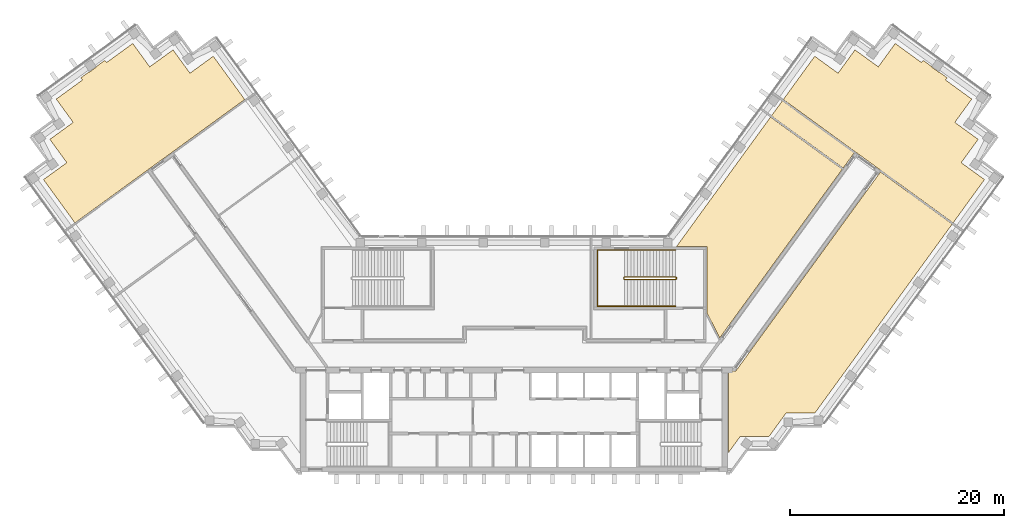
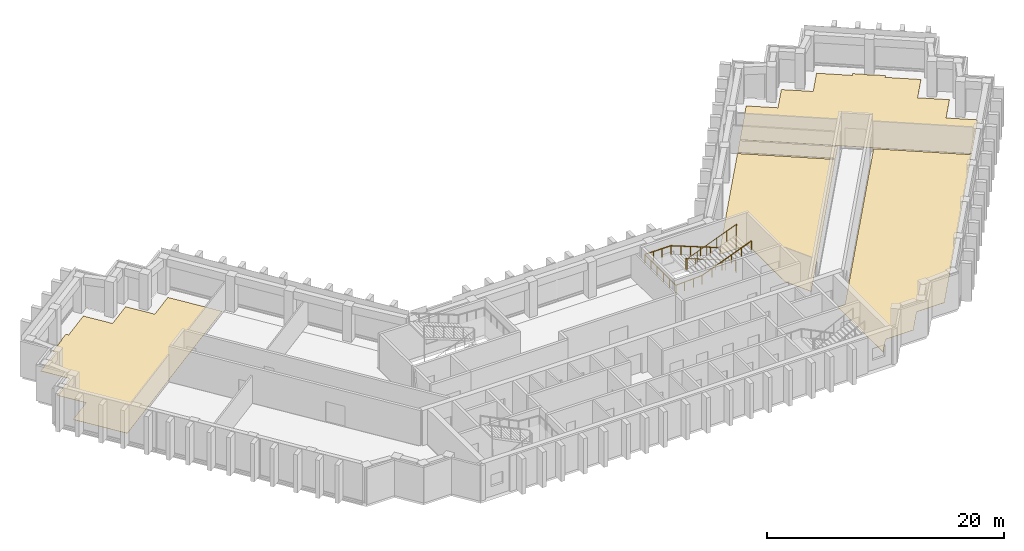
# One storey, part 10 of 10: 5 coverings, 2 railings.
"""IFC4 building model written with IfcOpenShell, lengths in metres."""

from ifc_helpers import new_model, si_unit, direction, frame, origin, origin_2d, place, context, subcontext, project, spatial, polyline, circle, outline, extrude, material, layer, layer_set, type_object, element, save


model = new_model("IFC4")

# Units and contexts
model_context = context("Model", 3, precision=1e-05, world=origin(), true_north=direction((0.0, 1.0)))
body_context = subcontext(model_context, "Body", "Model", "MODEL_VIEW")
ifc_project = project(units=[si_unit("LENGTHUNIT", "METRE"), si_unit("AREAUNIT", "SQUARE_METRE"), si_unit("VOLUMEUNIT", "CUBIC_METRE"), si_unit("PLANEANGLEUNIT", "RADIAN"), si_unit("MASSUNIT", "GRAM", prefix="KILO")], contexts=[model_context])

# Site, building, storey
site_placement = place(None, origin())
site = spatial("IfcSite", under=ifc_project, at=site_placement, CompositionType="ELEMENT")
building_placement = place(site_placement, origin())
building = spatial("IfcBuilding", under=site, at=building_placement, Name="Quipu Civic Tower", CompositionType="ELEMENT")
storey_placement = place(building_placement, frame((0.0, 0.0, 180.0)))
storey = spatial("IfcBuildingStorey", under=building, at=storey_placement, Name="L42", CompositionType="ELEMENT", Elevation=180.0)

# Coverings
ifc_material_1 = material(Name="Carpet tile on raised access floor")
ifc_layer_1 = layer(ifc_material_1, 0.02001953125)
ifc_layer_set_1 = layer_set([ifc_layer_1], Name="Carpet tile on raised access floor")
covering_type_1 = type_object("IfcCoveringType", Name="Carpet tile floor finish 20", PredefinedType="FLOORING", material=ifc_layer_set_1)
covering_1_placement = place(storey_placement, origin())
element("IfcCovering", 1, at=covering_1_placement, inside=storey, type_object=covering_type_1, Name="Carpet tile floor finish 20", PredefinedType="FLOORING", context=body_context, shape_type="SweptSolid", body=[
    extrude(outline(polyline([(-44.074951171875, 16.4140625), (-41.89208984375, 17.9990234375), (-43.47802734375, 20.18505859375), (-41.2939453125, 21.77294921875), (-42.881103515625, 23.95703125), (-40.424072265625, 25.740966796875), (-40.574951171875, 25.952880859375), (-39.81298828125, 26.507080078125), (-39.80908203125, 26.5029296875), (-39.804931640625, 26.5009765625), (-39.801025390625, 26.498046875), (-39.7958984375, 26.49609375), (-39.7919921875, 26.4951171875), (-39.787109375, 26.493896484375), (-39.781982421875, 26.492919921875), (-39.777099609375, 26.492919921875), (-39.77197265625, 26.493896484375), (-39.76806640625, 26.4951171875), (-39.762939453125, 26.49609375), (-39.758056640625, 26.498046875), (-39.75390625, 26.5), (-39.75, 26.5029296875), (-39.10302734375, 26.972900390625), (-39.09912109375, 26.97607421875), (-39.094970703125, 26.97998046875), (-39.092041015625, 26.98291015625), (-39.089111328125, 26.987060546875), (-39.0869140625, 26.991943359375), (-39.0849609375, 26.99609375), (-39.083984375, 27.0009765625), (-39.0830078125, 27.006103515625), (-39.08203125, 27.010986328125), (-39.08203125, 27.014892578125), (-39.08203125, 27.02001953125), (-39.0830078125, 27.02490234375), (-39.0849609375, 27.030029296875), (-39.0869140625, 27.033935546875), (-38.324951171875, 27.587890625), (-38.169921875, 27.37890625), (-35.712890625, 29.1640625), (-34.126953125, 26.97998046875), (-31.94091796875, 28.56591796875), (-30.35400390625, 26.383056640625), (-28.169921875, 27.968994140625), (-25.22607421875, 23.916015625), (-41.131103515625, 12.360107421875), (-44.074951171875, 16.4140625)])), origin(), (0.0, 0.0, 1.0), 0.02001953125),
])
covering_2_placement = place(storey_placement, origin())
element("IfcCovering", 2, at=covering_2_placement, inside=storey, type_object=covering_type_1, Name="Carpet tile floor finish 20", PredefinedType="FLOORING", context=body_context, shape_type="SweptSolid", body=[
    extrude(outline(polyline([(25.22607421875, 23.916015625), (28.169921875, 27.968994140625), (30.35400390625, 26.383056640625), (31.94091796875, 28.56591796875), (34.126953125, 26.97998046875), (35.712890625, 29.1640625), (38.169921875, 27.37890625), (38.324951171875, 27.587890625), (39.0869140625, 27.033935546875), (39.0849609375, 27.030029296875), (39.0830078125, 27.02490234375), (39.08203125, 27.02001953125), (39.08203125, 27.014892578125), (39.08203125, 27.010986328125), (39.0830078125, 27.006103515625), (39.083984375, 27.0009765625), (39.0849609375, 26.99609375), (39.0869140625, 26.991943359375), (39.089111328125, 26.987060546875), (39.092041015625, 26.98291015625), (39.094970703125, 26.97998046875), (39.09912109375, 26.97607421875), (39.10302734375, 26.972900390625), (39.75, 26.5029296875), (39.75390625, 26.5), (39.758056640625, 26.498046875), (39.762939453125, 26.49609375), (39.76806640625, 26.4951171875), (39.77197265625, 26.493896484375), (39.777099609375, 26.492919921875), (39.781982421875, 26.492919921875), (39.787109375, 26.493896484375), (39.7919921875, 26.4951171875), (39.7958984375, 26.49609375), (39.801025390625, 26.498046875), (39.804931640625, 26.5009765625), (39.80908203125, 26.5029296875), (39.81298828125, 26.507080078125), (40.574951171875, 25.952880859375), (40.424072265625, 25.740966796875), (42.881103515625, 23.95703125), (41.2939453125, 21.77294921875), (43.47802734375, 20.18505859375), (41.89208984375, 17.9990234375), (44.074951171875, 16.4140625), (41.131103515625, 12.360107421875), (25.22607421875, 23.916015625)])), origin(), (0.0, 0.0, 1.0), 0.02001953125),
])
covering_3_placement = place(storey_placement, origin())
element("IfcCovering", 3, at=covering_3_placement, inside=storey, type_object=covering_type_1, Name="Carpet tile floor finish 20", PredefinedType="FLOORING", context=body_context, shape_type="SweptSolid", body=[
    extrude(outline(polyline([(15.238037109375, 10.169921875), (24.029052734375, 22.26904296875), (30.751953125, 17.385986328125), (19.27197265625, 1.583984375), (18.070068359375, 3.94189453125), (18.070068359375, 10.1689453125), (15.238037109375, 10.169921875)])), origin(), (0.0, 0.0, 1.0), 0.02001953125),
])
covering_4_placement = place(storey_placement, origin())
element("IfcCovering", 4, at=covering_4_placement, inside=storey, type_object=covering_type_1, Name="Carpet tile floor finish 20", PredefinedType="FLOORING", context=body_context, shape_type="SweptSolid", body=[
    extrude(outline(polyline([(20.070068359375, -9.195068359375), (20.070068359375, -1.52001953125), (20.77490234375, -1.51904296875), (34.324951171875, 17.131103515625), (41.048095703125, 12.2470703125), (28.181884765625, -5.4609375), (25.48193359375, -5.4619140625), (23.89501953125, -7.64599609375), (21.196044921875, -7.64599609375), (20.070068359375, -9.195068359375)])), origin(), (0.0, 0.0, 1.0), 0.02001953125),
])
ifc_material_2 = material(Name="Ceramic floor tile")
ifc_layer_2 = layer(ifc_material_2, 0.030029296875)
ifc_layer_set_2 = layer_set([ifc_layer_2], Name="Ceramic floor tile")
covering_type_2 = type_object("IfcCoveringType", Name="Ceramic tile floor finish 30", PredefinedType="FLOORING", material=ifc_layer_set_2)
covering_5_placement = place(storey_placement, origin())
element("IfcCovering", 5, at=covering_5_placement, inside=storey, type_object=covering_type_2, Name="Ceramic tile floor finish 30", PredefinedType="FLOORING", context=body_context, shape_type="SweptSolid", body=[
    extrude(outline(polyline([(24.112060546875, 22.382080078125), (25.14306640625, 23.802978515625), (31.865966796875, 18.9189453125), (30.8349609375, 17.4990234375), (24.112060546875, 22.382080078125)])), origin(), (0.0, 0.0, 1.0), 0.030029296875),
])

# Railings
ifc_material_3 = material(Name="Stainless steel", Category="steel")
railing_type_1 = type_object("IfcRailingType", Name="Stair guard 1100", PredefinedType="GUARDRAIL", material=ifc_material_3)
railing_1_placement = place(storey_placement, frame((15.14990234375, 7.300048828125, 0.11767578125)))
element("IfcRailing", 6, at=railing_1_placement, inside=storey, type_object=railing_type_1, Name="Stair 4 guard", PredefinedType="GUARDRAIL", context=body_context, shape_type="SweptSolid", body=[
    extrude(circle(Radius=0.02392578125, at=origin_2d()), frame((0.0, 0.0, 1.076171875), z_axis=(-0.930970042603, 0.0, 0.365095576219), x_axis=(0.0, -1.0, 0.0)), (0.0, 0.0, 1.0), 5.15576171875),
    extrude(circle(Radius=0.02392578125, at=origin_2d()), frame((-4.7998046875, 0.0, 2.95849609375), z_axis=(-0.707106781187, -0.707106781187, 0.0), x_axis=(0.707106781187, -0.707106781187, 0.0)), (0.0, 0.0, 1.0), 0.07080078125),
    extrude(circle(Radius=0.02392578125, at=origin_2d()), frame((-4.849853515625, -0.050048828125, 2.95849609375), z_axis=(0.0, -1.0, 0.0), x_axis=(1.0, 0.0, 0.0)), (0.0, 0.0, 1.0), 0.14990234375),
    extrude(circle(Radius=0.02392578125, at=origin_2d()), frame((-4.849853515625, -0.199951171875, 2.95849609375), z_axis=(0.364463019033, -0.364463019033, 0.856932561824), x_axis=(0.707106781187, 0.707106781187, 0.0)), (0.0, 0.0, 1.0), 0.13720703125),
    extrude(circle(Radius=0.02392578125, at=origin_2d()), frame((-4.7998046875, -0.25, 3.076171875), z_axis=(0.930970042603, 0.0, 0.365095576219), x_axis=(0.0, 1.0, 0.0)), (0.0, 0.0, 1.0), 5.15576171875),
    extrude(circle(Radius=0.02392578125, at=origin_2d()), frame((0.0, -0.25, 4.95849609375), z_axis=(0.012495627992, 0.049921557685, -0.998674970829), x_axis=(-0.970072785993, 0.242814311512, 0.0)), (0.0, 0.0, 1.0), 4.00537109375),
    extrude(circle(Radius=0.02392578125, at=origin_2d()), frame((0.050048828125, -0.050048828125, 0.95849609375), z_axis=(0.0, -1.0, 0.0), x_axis=(1.0, 0.0, 0.0)), (0.0, 0.0, 1.0), 0.14990234375),
    extrude(circle(Radius=0.02099609375, at=origin_2d()), origin(), (0.0, 0.0, 1.0), 1.052001953125),
    extrude(circle(Radius=0.02099609375, at=origin_2d()), frame((-0.9599609375, 0.0, 0.37646484375)), (0.0, 0.0, 1.0), 1.052001953125),
    extrude(circle(Radius=0.02099609375, at=origin_2d()), frame((-1.919921875, 0.0, 0.7529296875)), (0.0, 0.0, 1.0), 1.052001953125),
    extrude(circle(Radius=0.02099609375, at=origin_2d()), frame((-2.8798828125, 0.0, 1.12939453125)), (0.0, 0.0, 1.0), 1.052001953125),
    extrude(circle(Radius=0.02099609375, at=origin_2d()), frame((-3.83984375, 0.0, 1.505859375)), (0.0, 0.0, 1.0), 1.052001953125),
    extrude(circle(Radius=0.02099609375, at=origin_2d()), frame((-4.7998046875, 0.0, 1.88232421875)), (0.0, 0.0, 1.0), 1.052001953125),
    extrude(circle(Radius=0.02099609375, at=origin_2d()), frame((-4.849853515625, -0.050048828125, 1.88232421875)), (0.0, 0.0, 1.0), 1.052001953125),
    extrude(circle(Radius=0.02099609375, at=origin_2d()), frame((-4.849853515625, -0.199951171875, 1.88232421875)), (0.0, 0.0, 1.0), 1.052001953125),
    extrude(circle(Radius=0.02099609375, at=origin_2d()), frame((-4.7998046875, -0.25, 2.0)), (0.0, 0.0, 1.0), 1.052001953125),
    extrude(circle(Radius=0.02099609375, at=origin_2d()), frame((-3.83984375, -0.25, 2.37646484375)), (0.0, 0.0, 1.0), 1.052001953125),
    extrude(circle(Radius=0.02099609375, at=origin_2d()), frame((-2.8798828125, -0.25, 2.7529296875)), (0.0, 0.0, 1.0), 1.052001953125),
    extrude(circle(Radius=0.02099609375, at=origin_2d()), frame((-1.919921875, -0.25, 3.12939453125)), (0.0, 0.0, 1.0), 1.052001953125),
    extrude(circle(Radius=0.02099609375, at=origin_2d()), frame((-0.9599609375, -0.25, 3.505859375)), (0.0, 0.0, 1.0), 1.052001953125),
    extrude(circle(Radius=0.02099609375, at=origin_2d()), frame((0.0, -0.25, 3.88232421875)), (0.0, 0.0, 1.0), 1.052001953125),
    extrude(circle(Radius=0.02099609375, at=origin_2d()), frame((0.012451171875, -0.199951171875, 2.88232421875)), (0.0, 0.0, 1.0), 1.052001953125),
    extrude(circle(Radius=0.02099609375, at=origin_2d()), frame((0.02490234375, -0.14990234375, 1.88232421875)), (0.0, 0.0, 1.0), 1.052001953125),
    extrude(circle(Radius=0.02099609375, at=origin_2d()), frame((0.03759765625, -0.10009765625, 0.88232421875)), (0.0, 0.0, 1.0), 1.052001953125),
    extrude(circle(Radius=0.02099609375, at=origin_2d()), frame((0.050048828125, -0.050048828125, -0.11767578125)), (0.0, 0.0, 1.0), 1.052001953125),
    extrude(circle(Radius=0.02099609375, at=origin_2d()), frame((0.050048828125, -0.199951171875, -0.11767578125)), (0.0, 0.0, 1.0), 1.052001953125),
])
ifc_material_4 = material(Name="Stainless steel", Category="steel")
railing_type_2 = type_object("IfcRailingType", Name="Stair handrail", PredefinedType="HANDRAIL", material=ifc_material_4)
railing_2_placement = place(storey_placement, frame((15.14990234375, 9.800048828125, 0.11767578125)))
element("IfcRailing", 7, at=railing_2_placement, inside=storey, type_object=railing_type_2, Name="Stair 4 handrail", PredefinedType="HANDRAIL", context=body_context, shape_type="SweptSolid", body=[
    extrude(circle(Radius=0.02392578125, at=origin_2d()), frame((0.0, 0.0, 0.8759765625), z_axis=(-0.930970042603, 0.0, 0.365095576219), x_axis=(0.0, -1.0, 0.0)), (0.0, 0.0, 1.0), 5.15576171875),
    extrude(circle(Radius=0.02392578125, at=origin_2d()), frame((-4.7998046875, 0.0, 2.75830078125), z_axis=(-1.0, 0.0, 0.0), x_axis=(0.0, -1.0, 0.0)), (0.0, 0.0, 1.0), 2.550048828125),
    extrude(circle(Radius=0.02392578125, at=origin_2d()), frame((-7.349853515625, 0.0, 2.75830078125), z_axis=(0.0, -1.0, 0.0), x_axis=(1.0, 0.0, 0.0)), (0.0, 0.0, 1.0), 5.25),
    extrude(circle(Radius=0.02392578125, at=origin_2d()), frame((-7.349853515625, -5.25, 2.75830078125), z_axis=(0.998936948642, 0.0, 0.04609742549), x_axis=(0.0, 1.0, 0.0)), (0.0, 0.0, 1.0), 2.552734375),
    extrude(circle(Radius=0.02392578125, at=origin_2d()), frame((-4.7998046875, -5.25, 2.8759765625), z_axis=(0.930970042603, 0.0, 0.365095576219), x_axis=(0.0, 1.0, 0.0)), (0.0, 0.0, 1.0), 5.15576171875),
    extrude(circle(Radius=0.02099609375, at=origin_2d()), origin(), (0.0, 0.0, 1.0), 0.851806640625),
    extrude(circle(Radius=0.02099609375, at=origin_2d()), frame((-0.9599609375, 0.0, 0.37646484375)), (0.0, 0.0, 1.0), 0.851806640625),
    extrude(circle(Radius=0.02099609375, at=origin_2d()), frame((-1.919921875, 0.0, 0.7529296875)), (0.0, 0.0, 1.0), 0.851806640625),
    extrude(circle(Radius=0.02099609375, at=origin_2d()), frame((-2.8798828125, 0.0, 1.12939453125)), (0.0, 0.0, 1.0), 0.851806640625),
    extrude(circle(Radius=0.02099609375, at=origin_2d()), frame((-3.83984375, 0.0, 1.505859375)), (0.0, 0.0, 1.0), 0.851806640625),
    extrude(circle(Radius=0.02099609375, at=origin_2d()), frame((-4.7998046875, 0.0, 1.88232421875)), (0.0, 0.0, 1.0), 0.851806640625),
    extrude(circle(Radius=0.02099609375, at=origin_2d()), frame((-5.64990234375, 0.0, 1.88232421875)), (0.0, 0.0, 1.0), 0.851806640625),
    extrude(circle(Radius=0.02099609375, at=origin_2d()), frame((-6.499755859375, 0.0, 1.88232421875)), (0.0, 0.0, 1.0), 0.851806640625),
    extrude(circle(Radius=0.02099609375, at=origin_2d()), frame((-7.349853515625, 0.0, 1.88232421875)), (0.0, 0.0, 1.0), 0.851806640625),
    extrude(circle(Radius=0.02099609375, at=origin_2d()), frame((-7.349853515625, -1.050048828125, 1.88232421875)), (0.0, 0.0, 1.0), 0.851806640625),
    extrude(circle(Radius=0.02099609375, at=origin_2d()), frame((-7.349853515625, -2.10009765625, 1.88232421875)), (0.0, 0.0, 1.0), 0.851806640625),
    extrude(circle(Radius=0.02099609375, at=origin_2d()), frame((-7.349853515625, -3.14990234375, 1.88232421875)), (0.0, 0.0, 1.0), 0.851806640625),
    extrude(circle(Radius=0.02099609375, at=origin_2d()), frame((-7.349853515625, -4.199951171875, 1.88232421875)), (0.0, 0.0, 1.0), 0.851806640625),
    extrude(circle(Radius=0.02099609375, at=origin_2d()), frame((-7.349853515625, -5.25, 1.88232421875)), (0.0, 0.0, 1.0), 0.851806640625),
    extrude(circle(Radius=0.02099609375, at=origin_2d()), frame((-6.499755859375, -5.25, 1.921630859375)), (0.0, 0.0, 1.0), 0.851806640625),
    extrude(circle(Radius=0.02099609375, at=origin_2d()), frame((-5.64990234375, -5.25, 1.960693359375)), (0.0, 0.0, 1.0), 0.851806640625),
    extrude(circle(Radius=0.02099609375, at=origin_2d()), frame((-4.7998046875, -5.25, 2.0)), (0.0, 0.0, 1.0), 0.851806640625),
    extrude(circle(Radius=0.02099609375, at=origin_2d()), frame((-3.83984375, -5.25, 2.37646484375)), (0.0, 0.0, 1.0), 0.851806640625),
    extrude(circle(Radius=0.02099609375, at=origin_2d()), frame((-2.8798828125, -5.25, 2.7529296875)), (0.0, 0.0, 1.0), 0.851806640625),
    extrude(circle(Radius=0.02099609375, at=origin_2d()), frame((-1.919921875, -5.25, 3.12939453125)), (0.0, 0.0, 1.0), 0.851806640625),
    extrude(circle(Radius=0.02099609375, at=origin_2d()), frame((-0.9599609375, -5.25, 3.505859375)), (0.0, 0.0, 1.0), 0.851806640625),
    extrude(circle(Radius=0.02099609375, at=origin_2d()), frame((0.0, -5.25, 3.88232421875)), (0.0, 0.0, 1.0), 0.851806640625),
])

save(model, "model.ifc")
